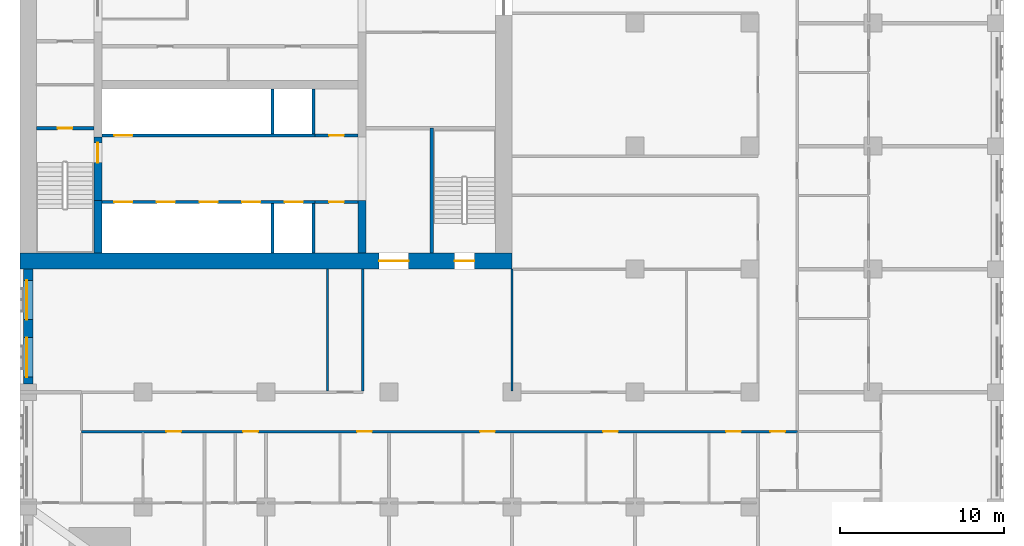
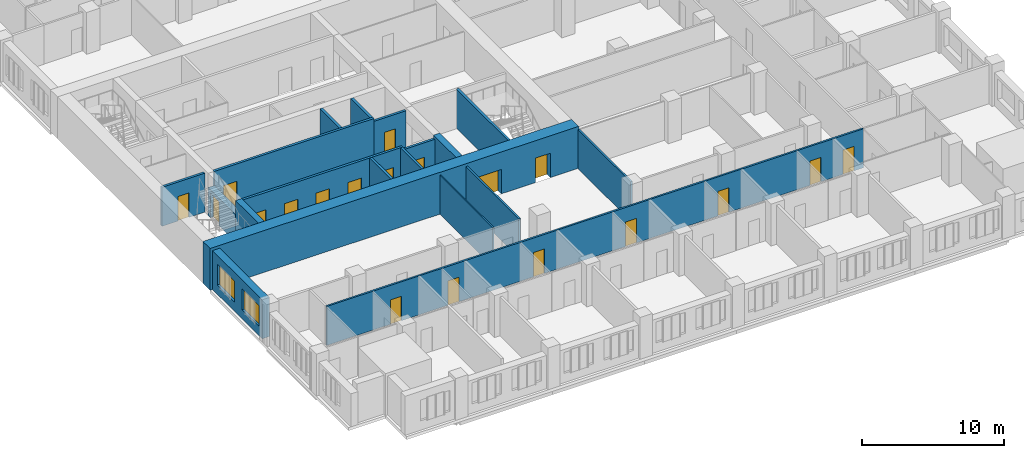
# One storey, part 5 of 14: 19 doors, 19 walls, 2 windows, 21 openings.
"""IFC4 building model written with IfcOpenShell, lengths in metres."""

from ifc_helpers import new_model, si_unit, direction, frame, frame_2d, origin, place, context, subcontext, project, spatial, rectangle, extrude, material, layer, layer_set, type_object, element, fill, save


model = new_model("IFC4")

# Units and contexts
model_context = context("Model", 3, precision=1e-05, world=origin(), true_north=direction((0.0, 1.0)))
body_context = subcontext(model_context, "Body", "Model", "MODEL_VIEW")
ifc_project = project(units=[si_unit("LENGTHUNIT", "METRE"), si_unit("AREAUNIT", "SQUARE_METRE"), si_unit("VOLUMEUNIT", "CUBIC_METRE"), si_unit("PLANEANGLEUNIT", "RADIAN"), si_unit("MASSUNIT", "GRAM", prefix="KILO")], contexts=[model_context])

# Site, building, storey
site_placement = place(None, origin())
site = spatial("IfcSite", under=ifc_project, at=site_placement, CompositionType="ELEMENT")
building_placement = place(site_placement, origin())
building = spatial("IfcBuilding", under=site, at=building_placement, Name="Tamorin Gate", CompositionType="ELEMENT")
storey_placement = place(building_placement, frame((0.0, 0.0, 100.699951171875)))
storey = spatial("IfcBuildingStorey", under=building, at=storey_placement, Name="L24", CompositionType="ELEMENT", Elevation=100.699951171875)

# Wall, openings, windows
ifc_material_1 = material(Name="Precast concrete C40/50", Category="concrete")
ifc_layer_1 = layer(ifc_material_1, 0.60009765625)
ifc_layer_set_1 = layer_set([ifc_layer_1], Name="Precast concrete C40/50")
wall_type_1 = type_object("IfcWallType", Name="Board-marked concrete facade panel 600", PredefinedType="SOLIDWALL", material=ifc_layer_set_1)
wall_1_placement = place(storey_placement, frame((30.5, 60.0, 0.0), z_axis=(0.0, 0.0, 1.0), x_axis=(0.0, -1.0, 0.0)))
wall_1 = element("IfcWall", 1, at=wall_1_placement, inside=storey, type_object=wall_type_1, Name="Facade panel", PredefinedType="SOLIDWALL", context=body_context, shape_type="SweptSolid", body=[
    extrude(rectangle(XDim=7.0, YDim=0.60009765625, at=frame_2d((3.5, 0.0))), origin(), (0.0, 0.0, 1.0), 3.35009765625),
])
opening_1_placement = place(wall_1_placement, frame((4.175048828125, 0.0, 0.800048828125)))
opening_1 = element("IfcOpeningElement", 2, at=opening_1_placement, cuts=wall_1, Name="Opening WN1", PredefinedType="OPENING", context=body_context, shape_type="SweptSolid", body=[
    extrude(rectangle(XDim=2.39990234375, YDim=1.800048828125, at=frame_2d((1.199951171875, 0.89990234375))), frame((0.0, 0.31005859375, 0.0), z_axis=(0.0, -1.0, 0.0), x_axis=(1.0, 0.0, 0.0)), (0.0, 0.0, 1.0), 0.6201171875),
])
opening_2_placement = place(wall_1_placement, frame((0.675048828125, 0.0, 0.800048828125)))
opening_2 = element("IfcOpeningElement", 3, at=opening_2_placement, cuts=wall_1, Name="Opening WN1", PredefinedType="OPENING", context=body_context, shape_type="SweptSolid", body=[
    extrude(rectangle(XDim=2.39990234375, YDim=1.800048828125, at=frame_2d((1.199951171875, 0.89990234375))), frame((0.0, 0.31005859375, 0.0), z_axis=(0.0, -1.0, 0.0), x_axis=(1.0, 0.0, 0.0)), (0.0, 0.0, 1.0), 0.6201171875),
])
ifc_material_2 = material(Name="Clear glass in aluminium frame", Category="aluminium")
window_type = type_object("IfcWindowType", Name="Deep-set window 2400x1800", PartitioningType="SINGLE_PANEL", PredefinedType="WINDOW", material=ifc_material_2)
window_1_placement = place(opening_1_placement, origin())
window_1 = element("IfcWindow", 4, at=window_1_placement, inside=storey, type_object=window_type, Name="Deep-set window", OverallHeight=1.800048828125, OverallWidth=2.39990234375, PartitioningType="SINGLE_PANEL", PredefinedType="WINDOW", context=body_context, shape_type="SweptSolid", body=[
    extrude(rectangle(XDim=2.39990234375, YDim=1.800048828125, at=frame_2d((1.199951171875, 0.89990234375))), frame((0.0, -0.070068359375, 0.0), z_axis=(0.0, -1.0, 0.0), x_axis=(1.0, 0.0, 0.0)), (0.0, 0.0, 1.0), 0.06005859375),
])
fill(opening_1, window_1)
window_2_placement = place(opening_2_placement, origin())
window_2 = element("IfcWindow", 5, at=window_2_placement, inside=storey, type_object=window_type, Name="Deep-set window", OverallHeight=1.800048828125, OverallWidth=2.39990234375, PartitioningType="SINGLE_PANEL", PredefinedType="WINDOW", context=body_context, shape_type="SweptSolid", body=[
    extrude(rectangle(XDim=2.39990234375, YDim=1.800048828125, at=frame_2d((1.199951171875, 0.89990234375))), frame((0.0, -0.070068359375, 0.0), z_axis=(0.0, -1.0, 0.0), x_axis=(1.0, 0.0, 0.0)), (0.0, 0.0, 1.0), 0.06005859375),
])
fill(opening_2, window_2)

# Wall, openings, doors
ifc_material_3 = material(Name="Gypsum board partition")
ifc_layer_2 = layer(ifc_material_3, 0.14990234375)
ifc_layer_set_2 = layer_set([ifc_layer_2], Name="Corridor wall 150")
wall_type_2 = type_object("IfcWallType", Name="Corridor wall 150", PredefinedType="PARTITIONING", material=ifc_layer_set_2)
wall_2_placement = place(storey_placement, frame((33.75, 50.10009765625, 0.0), z_axis=(0.0, 0.0, 1.0), x_axis=(1.0, 0.0, 0.0)))
wall_2 = element("IfcWall", 6, at=wall_2_placement, inside=storey, type_object=wall_type_2, Name="Corridor wall 150", PredefinedType="PARTITIONING", context=body_context, shape_type="SweptSolid", body=[
    extrude(rectangle(XDim=43.64990234375, YDim=0.14990234375, at=frame_2d((21.824951171875, 0.0))), origin(), (0.0, 0.0, 1.0), 3.35009765625),
])
opening_3_placement = place(wall_2_placement, frame((5.175048828125, 0.0, 0.0)))
opening_3 = element("IfcOpeningElement", 7, at=opening_3_placement, cuts=wall_2, Name="Opening DH7003", PredefinedType="OPENING", context=body_context, shape_type="SweptSolid", body=[
    extrude(rectangle(XDim=0.89990234375, YDim=2.10009765625, at=frame_2d((0.449951171875, 1.050048828125))), frame((0.0, 0.0849609375, 0.0), z_axis=(0.0, -1.0, 0.0), x_axis=(1.0, 0.0, 0.0)), (0.0, 0.0, 1.0), 0.169921875),
])
opening_4_placement = place(wall_2_placement, frame((9.862548828125, 0.0, 0.0)))
opening_4 = element("IfcOpeningElement", 8, at=opening_4_placement, cuts=wall_2, Name="Opening DH7006", PredefinedType="OPENING", context=body_context, shape_type="SweptSolid", body=[
    extrude(rectangle(XDim=0.89990234375, YDim=2.10009765625, at=frame_2d((0.449951171875, 1.050048828125))), frame((0.0, 0.0849609375, 0.0), z_axis=(0.0, -1.0, 0.0), x_axis=(1.0, 0.0, 0.0)), (0.0, 0.0, 1.0), 0.169921875),
])
opening_5_placement = place(wall_2_placement, frame((16.800048828125, 0.0, 0.0)))
opening_5 = element("IfcOpeningElement", 9, at=opening_5_placement, cuts=wall_2, Name="Opening DH7009", PredefinedType="OPENING", context=body_context, shape_type="SweptSolid", body=[
    extrude(rectangle(XDim=0.89990234375, YDim=2.10009765625, at=frame_2d((0.449951171875, 1.050048828125))), frame((0.0, 0.0849609375, 0.0), z_axis=(0.0, -1.0, 0.0), x_axis=(1.0, 0.0, 0.0)), (0.0, 0.0, 1.0), 0.169921875),
])
opening_6_placement = place(wall_2_placement, frame((24.300048828125, 0.0, 0.0)))
opening_6 = element("IfcOpeningElement", 10, at=opening_6_placement, cuts=wall_2, Name="Opening DH7012", PredefinedType="OPENING", context=body_context, shape_type="SweptSolid", body=[
    extrude(rectangle(XDim=0.89990234375, YDim=2.10009765625, at=frame_2d((0.449951171875, 1.050048828125))), frame((0.0, 0.0849609375, 0.0), z_axis=(0.0, -1.0, 0.0), x_axis=(1.0, 0.0, 0.0)), (0.0, 0.0, 1.0), 0.169921875),
])
opening_7_placement = place(wall_2_placement, frame((31.800048828125, 0.0, 0.0)))
opening_7 = element("IfcOpeningElement", 11, at=opening_7_placement, cuts=wall_2, Name="Opening DH7015", PredefinedType="OPENING", context=body_context, shape_type="SweptSolid", body=[
    extrude(rectangle(XDim=0.89990234375, YDim=2.10009765625, at=frame_2d((0.449951171875, 1.050048828125))), frame((0.0, 0.0849609375, 0.0), z_axis=(0.0, -1.0, 0.0), x_axis=(1.0, 0.0, 0.0)), (0.0, 0.0, 1.0), 0.169921875),
])
opening_8_placement = place(wall_2_placement, frame((39.300048828125, 0.0, 0.0)))
opening_8 = element("IfcOpeningElement", 12, at=opening_8_placement, cuts=wall_2, Name="Opening DH7018", PredefinedType="OPENING", context=body_context, shape_type="SweptSolid", body=[
    extrude(rectangle(XDim=0.89990234375, YDim=2.10009765625, at=frame_2d((0.449951171875, 1.050048828125))), frame((0.0, 0.0849609375, 0.0), z_axis=(0.0, -1.0, 0.0), x_axis=(1.0, 0.0, 0.0)), (0.0, 0.0, 1.0), 0.169921875),
])
opening_9_placement = place(wall_2_placement, frame((42.0, 0.0, 0.0)))
opening_9 = element("IfcOpeningElement", 13, at=opening_9_placement, cuts=wall_2, Name="Opening DH7054", PredefinedType="OPENING", context=body_context, shape_type="SweptSolid", body=[
    extrude(rectangle(XDim=0.89990234375, YDim=2.10009765625, at=frame_2d((0.449951171875, 1.050048828125))), frame((0.0, 0.0849609375, 0.0), z_axis=(0.0, -1.0, 0.0), x_axis=(1.0, 0.0, 0.0)), (0.0, 0.0, 1.0), 0.169921875),
])
ifc_material_4 = material(Name="Timber door leaf", Category="wood")
door_type_1 = type_object("IfcDoorType", Name="Door 900 x 2100 FD30S", OperationType="NOTDEFINED", PredefinedType="DOOR", material=ifc_material_4)
door_1_placement = place(opening_3_placement, origin())
door_1 = element("IfcDoor", 14, at=door_1_placement, inside=storey, type_object=door_type_1, Name="Door DH7003", OperationType="SINGLE_SWING_RIGHT", OverallHeight=2.10009765625, OverallWidth=0.89990234375, PredefinedType="DOOR", context=body_context, shape_type="SweptSolid", body=[
    extrude(rectangle(XDim=0.89990234375, YDim=2.10009765625, at=frame_2d((0.449951171875, 1.050048828125))), frame((0.0, 0.02490234375, 0.0), z_axis=(0.0, -1.0, 0.0), x_axis=(1.0, 0.0, 0.0)), (0.0, 0.0, 1.0), 0.050048828125),
])
fill(opening_3, door_1)
door_2_placement = place(opening_4_placement, origin())
door_2 = element("IfcDoor", 15, at=door_2_placement, inside=storey, type_object=door_type_1, Name="Door DH7006", OperationType="SINGLE_SWING_RIGHT", OverallHeight=2.10009765625, OverallWidth=0.89990234375, PredefinedType="DOOR", context=body_context, shape_type="SweptSolid", body=[
    extrude(rectangle(XDim=0.89990234375, YDim=2.10009765625, at=frame_2d((0.449951171875, 1.050048828125))), frame((0.0, 0.02490234375, 0.0), z_axis=(0.0, -1.0, 0.0), x_axis=(1.0, 0.0, 0.0)), (0.0, 0.0, 1.0), 0.050048828125),
])
fill(opening_4, door_2)
door_3_placement = place(opening_5_placement, origin())
door_3 = element("IfcDoor", 16, at=door_3_placement, inside=storey, type_object=door_type_1, Name="Door DH7009", OperationType="SINGLE_SWING_RIGHT", OverallHeight=2.10009765625, OverallWidth=0.89990234375, PredefinedType="DOOR", context=body_context, shape_type="SweptSolid", body=[
    extrude(rectangle(XDim=0.89990234375, YDim=2.10009765625, at=frame_2d((0.449951171875, 1.050048828125))), frame((0.0, 0.02490234375, 0.0), z_axis=(0.0, -1.0, 0.0), x_axis=(1.0, 0.0, 0.0)), (0.0, 0.0, 1.0), 0.050048828125),
])
fill(opening_5, door_3)
door_4_placement = place(opening_6_placement, origin())
door_4 = element("IfcDoor", 17, at=door_4_placement, inside=storey, type_object=door_type_1, Name="Door DH7012", OperationType="SINGLE_SWING_RIGHT", OverallHeight=2.10009765625, OverallWidth=0.89990234375, PredefinedType="DOOR", context=body_context, shape_type="SweptSolid", body=[
    extrude(rectangle(XDim=0.89990234375, YDim=2.10009765625, at=frame_2d((0.449951171875, 1.050048828125))), frame((0.0, 0.02490234375, 0.0), z_axis=(0.0, -1.0, 0.0), x_axis=(1.0, 0.0, 0.0)), (0.0, 0.0, 1.0), 0.050048828125),
])
fill(opening_6, door_4)
door_5_placement = place(opening_7_placement, origin())
door_5 = element("IfcDoor", 18, at=door_5_placement, inside=storey, type_object=door_type_1, Name="Door DH7015", OperationType="SINGLE_SWING_RIGHT", OverallHeight=2.10009765625, OverallWidth=0.89990234375, PredefinedType="DOOR", context=body_context, shape_type="SweptSolid", body=[
    extrude(rectangle(XDim=0.89990234375, YDim=2.10009765625, at=frame_2d((0.449951171875, 1.050048828125))), frame((0.0, 0.02490234375, 0.0), z_axis=(0.0, -1.0, 0.0), x_axis=(1.0, 0.0, 0.0)), (0.0, 0.0, 1.0), 0.050048828125),
])
fill(opening_7, door_5)
door_6_placement = place(opening_8_placement, origin())
door_6 = element("IfcDoor", 19, at=door_6_placement, inside=storey, type_object=door_type_1, Name="Door DH7018", OperationType="SINGLE_SWING_RIGHT", OverallHeight=2.10009765625, OverallWidth=0.89990234375, PredefinedType="DOOR", context=body_context, shape_type="SweptSolid", body=[
    extrude(rectangle(XDim=0.89990234375, YDim=2.10009765625, at=frame_2d((0.449951171875, 1.050048828125))), frame((0.0, 0.02490234375, 0.0), z_axis=(0.0, -1.0, 0.0), x_axis=(1.0, 0.0, 0.0)), (0.0, 0.0, 1.0), 0.050048828125),
])
fill(opening_8, door_6)
door_7_placement = place(opening_9_placement, origin())
door_7 = element("IfcDoor", 20, at=door_7_placement, inside=storey, type_object=door_type_1, Name="Door DH7054", OperationType="SINGLE_SWING_LEFT", OverallHeight=2.10009765625, OverallWidth=0.89990234375, PredefinedType="DOOR", context=body_context, shape_type="SweptSolid", body=[
    extrude(rectangle(XDim=0.89990234375, YDim=2.10009765625, at=frame_2d((0.449951171875, 1.050048828125))), frame((0.0, 0.02490234375, 0.0), z_axis=(0.0, -1.0, 0.0), x_axis=(1.0, 0.0, 0.0)), (0.0, 0.0, 1.0), 0.050048828125),
])
fill(opening_9, door_7)

ifc_material_5 = material(Name="Concrete C32/40", Category="concrete")
ifc_layer_3 = layer(ifc_material_5, 0.199951171875)
ifc_layer_set_3 = layer_set([ifc_layer_3], Name="Lift lobby face wall 200 EI 120")
wall_type_3 = type_object("IfcWallType", Name="Lift lobby face wall 200 EI 120", PredefinedType="SOLIDWALL", material=ifc_layer_set_3)
wall_3_placement = place(storey_placement, frame((35.0, 64.10009765625, 0.0), z_axis=(0.0, 0.0, 1.0), x_axis=(1.0, 0.0, 0.0)))
wall_3 = element("IfcWall", 21, at=wall_3_placement, inside=storey, type_object=wall_type_3, Name="Lift lobby face wall", PredefinedType="SOLIDWALL", context=body_context, shape_type="SweptSolid", body=[
    extrude(rectangle(XDim=13.0, YDim=0.199951171875, at=frame_2d((6.5, 0.0))), origin(), (0.0, 0.0, 1.0), 3.60009765625),
])
opening_10_placement = place(wall_3_placement, frame((0.75, 0.0, 0.0)))
opening_10 = element("IfcOpeningElement", 22, at=opening_10_placement, cuts=wall_3, Name="Opening LD1", PredefinedType="OPENING", context=body_context, shape_type="SweptSolid", body=[
    extrude(rectangle(XDim=1.10009765625, YDim=2.10009765625, at=frame_2d((0.550048828125, 1.050048828125))), frame((0.0, 0.10986328125, 0.0), z_axis=(0.0, -1.0, 0.0), x_axis=(1.0, 0.0, 0.0)), (0.0, 0.0, 1.0), 0.219970703125),
])
opening_11_placement = place(wall_3_placement, frame((3.35009765625, 0.0, 0.0)))
opening_11 = element("IfcOpeningElement", 23, at=opening_11_placement, cuts=wall_3, Name="Opening LD2", PredefinedType="OPENING", context=body_context, shape_type="SweptSolid", body=[
    extrude(rectangle(XDim=1.10009765625, YDim=2.10009765625, at=frame_2d((0.550048828125, 1.050048828125))), frame((0.0, 0.10986328125, 0.0), z_axis=(0.0, -1.0, 0.0), x_axis=(1.0, 0.0, 0.0)), (0.0, 0.0, 1.0), 0.219970703125),
])
opening_12_placement = place(wall_3_placement, frame((5.949951171875, 0.0, 0.0)))
opening_12 = element("IfcOpeningElement", 24, at=opening_12_placement, cuts=wall_3, Name="Opening LD3", PredefinedType="OPENING", context=body_context, shape_type="SweptSolid", body=[
    extrude(rectangle(XDim=1.10009765625, YDim=2.10009765625, at=frame_2d((0.550048828125, 1.050048828125))), frame((0.0, 0.10986328125, 0.0), z_axis=(0.0, -1.0, 0.0), x_axis=(1.0, 0.0, 0.0)), (0.0, 0.0, 1.0), 0.219970703125),
])
opening_13_placement = place(wall_3_placement, frame((8.550048828125, 0.0, 0.0)))
opening_13 = element("IfcOpeningElement", 25, at=opening_13_placement, cuts=wall_3, Name="Opening LD4", PredefinedType="OPENING", context=body_context, shape_type="SweptSolid", body=[
    extrude(rectangle(XDim=1.10009765625, YDim=2.10009765625, at=frame_2d((0.550048828125, 1.050048828125))), frame((0.0, 0.10986328125, 0.0), z_axis=(0.0, -1.0, 0.0), x_axis=(1.0, 0.0, 0.0)), (0.0, 0.0, 1.0), 0.219970703125),
])
opening_14_placement = place(wall_3_placement, frame((11.14990234375, 0.0, 0.0)))
opening_14 = element("IfcOpeningElement", 26, at=opening_14_placement, cuts=wall_3, Name="Opening LD5", PredefinedType="OPENING", context=body_context, shape_type="SweptSolid", body=[
    extrude(rectangle(XDim=1.10009765625, YDim=2.10009765625, at=frame_2d((0.550048828125, 1.050048828125))), frame((0.0, 0.10986328125, 0.0), z_axis=(0.0, -1.0, 0.0), x_axis=(1.0, 0.0, 0.0)), (0.0, 0.0, 1.0), 0.219970703125),
])
ifc_material_6 = material(Name="Stainless steel sliding door", Category="steel")
door_type_2 = type_object("IfcDoorType", Name="Lift landing door 1100 x 2100 E 90", OperationType="DOUBLE_DOOR_SLIDING", PredefinedType="DOOR", material=ifc_material_6)
door_8_placement = place(opening_10_placement, origin())
door_8 = element("IfcDoor", 27, at=door_8_placement, inside=storey, type_object=door_type_2, Name="LR1 landing door", OperationType="DOUBLE_DOOR_SLIDING", OverallHeight=2.10009765625, OverallWidth=1.10009765625, PredefinedType="DOOR", context=body_context, shape_type="SweptSolid", body=[
    extrude(rectangle(XDim=1.10009765625, YDim=2.10009765625, at=frame_2d((0.550048828125, 1.050048828125))), frame((0.0, 0.02490234375, 0.0), z_axis=(0.0, -1.0, 0.0), x_axis=(1.0, 0.0, 0.0)), (0.0, 0.0, 1.0), 0.050048828125),
])
fill(opening_10, door_8)
door_9_placement = place(opening_11_placement, origin())
door_9 = element("IfcDoor", 28, at=door_9_placement, inside=storey, type_object=door_type_2, Name="LR2 landing door", OperationType="DOUBLE_DOOR_SLIDING", OverallHeight=2.10009765625, OverallWidth=1.10009765625, PredefinedType="DOOR", context=body_context, shape_type="SweptSolid", body=[
    extrude(rectangle(XDim=1.10009765625, YDim=2.10009765625, at=frame_2d((0.550048828125, 1.050048828125))), frame((0.0, 0.02490234375, 0.0), z_axis=(0.0, -1.0, 0.0), x_axis=(1.0, 0.0, 0.0)), (0.0, 0.0, 1.0), 0.050048828125),
])
fill(opening_11, door_9)
door_10_placement = place(opening_12_placement, origin())
door_10 = element("IfcDoor", 29, at=door_10_placement, inside=storey, type_object=door_type_2, Name="LR3 landing door", OperationType="DOUBLE_DOOR_SLIDING", OverallHeight=2.10009765625, OverallWidth=1.10009765625, PredefinedType="DOOR", context=body_context, shape_type="SweptSolid", body=[
    extrude(rectangle(XDim=1.10009765625, YDim=2.10009765625, at=frame_2d((0.550048828125, 1.050048828125))), frame((0.0, 0.02490234375, 0.0), z_axis=(0.0, -1.0, 0.0), x_axis=(1.0, 0.0, 0.0)), (0.0, 0.0, 1.0), 0.050048828125),
])
fill(opening_12, door_10)
door_11_placement = place(opening_13_placement, origin())
door_11 = element("IfcDoor", 30, at=door_11_placement, inside=storey, type_object=door_type_2, Name="LR4 landing door", OperationType="DOUBLE_DOOR_SLIDING", OverallHeight=2.10009765625, OverallWidth=1.10009765625, PredefinedType="DOOR", context=body_context, shape_type="SweptSolid", body=[
    extrude(rectangle(XDim=1.10009765625, YDim=2.10009765625, at=frame_2d((0.550048828125, 1.050048828125))), frame((0.0, 0.02490234375, 0.0), z_axis=(0.0, -1.0, 0.0), x_axis=(1.0, 0.0, 0.0)), (0.0, 0.0, 1.0), 0.050048828125),
])
fill(opening_13, door_11)
door_12_placement = place(opening_14_placement, origin())
door_12 = element("IfcDoor", 31, at=door_12_placement, inside=storey, type_object=door_type_2, Name="LR5 landing door", OperationType="DOUBLE_DOOR_SLIDING", OverallHeight=2.10009765625, OverallWidth=1.10009765625, PredefinedType="DOOR", context=body_context, shape_type="SweptSolid", body=[
    extrude(rectangle(XDim=1.10009765625, YDim=2.10009765625, at=frame_2d((0.550048828125, 1.050048828125))), frame((0.0, 0.02490234375, 0.0), z_axis=(0.0, -1.0, 0.0), x_axis=(1.0, 0.0, 0.0)), (0.0, 0.0, 1.0), 0.050048828125),
])
fill(opening_14, door_12)

# Wall, opening, door
wall_4_placement = place(storey_placement, frame((35.0, 68.14990234375, 0.0), z_axis=(0.0, 0.0, 1.0), x_axis=(1.0, 0.0, 0.0)))
wall_4 = element("IfcWall", 32, at=wall_4_placement, inside=storey, type_object=wall_type_3, Name="Lift lobby face wall", PredefinedType="SOLIDWALL", context=body_context, shape_type="SweptSolid", body=[
    extrude(rectangle(XDim=13.0, YDim=0.199951171875, at=frame_2d((6.5, 0.0))), origin(), (0.0, 0.0, 1.0), 3.60009765625),
])
opening_15_placement = place(wall_4_placement, frame((0.75, 0.0, 0.0)))
opening_15 = element("IfcOpeningElement", 33, at=opening_15_placement, cuts=wall_4, Name="Opening LD6", PredefinedType="OPENING", context=body_context, shape_type="SweptSolid", body=[
    extrude(rectangle(XDim=1.10009765625, YDim=2.10009765625, at=frame_2d((0.550048828125, 1.050048828125))), frame((0.0, 0.10986328125, 0.0), z_axis=(0.0, -1.0, 0.0), x_axis=(1.0, 0.0, 0.0)), (0.0, 0.0, 1.0), 0.219970703125),
])
door_13_placement = place(opening_15_placement, origin())
door_13 = element("IfcDoor", 34, at=door_13_placement, inside=storey, type_object=door_type_2, Name="LR6 landing door", OperationType="DOUBLE_DOOR_SLIDING", OverallHeight=2.10009765625, OverallWidth=1.10009765625, PredefinedType="DOOR", context=body_context, shape_type="SweptSolid", body=[
    extrude(rectangle(XDim=1.10009765625, YDim=2.10009765625, at=frame_2d((0.550048828125, 1.050048828125))), frame((0.0, 0.02490234375, 0.0), z_axis=(0.0, -1.0, 0.0), x_axis=(1.0, 0.0, 0.0)), (0.0, 0.0, 1.0), 0.050048828125),
])
fill(opening_15, door_13)

# Walls
ifc_layer_4 = layer(ifc_material_5, 0.199951171875)
ifc_layer_set_4 = layer_set([ifc_layer_4], Name="Lift shaft wall 200 EI 120")
wall_type_4 = type_object("IfcWallType", Name="Lift shaft wall 200 EI 120", PredefinedType="SOLIDWALL", material=ifc_layer_set_4)
for number, where, z_axis, x_axis, name in (
    (35, (45.39990234375, 61.0, 0.0), (0.0, 0.0, 1.0), (0.0, 1.0, 0.0), "Lift shaft wall"),
    (36, (47.89990234375, 61.0, 0.0), (0.0, 0.0, 1.0), (0.0, 1.0, 0.0), "Lift shaft wall"),
):
    element("IfcWall", number, at=place(storey_placement, frame(where, z_axis=z_axis, x_axis=x_axis)), inside=storey, type_object=wall_type_4, Name=name, PredefinedType="SOLIDWALL", context=body_context, shape_type="SweptSolid", body=[
        extrude(rectangle(XDim=3.0, YDim=0.199951171875, at=frame_2d((1.5, 0.0))), origin(), (0.0, 0.0, 1.0), 3.60009765625),
    ])
for number, where, z_axis, x_axis, name in (
    (37, (45.39990234375, 68.25, 0.0), (0.0, 0.0, 1.0), (0.0, 1.0, 0.0), "Lift shaft wall"),
    (38, (47.89990234375, 68.25, 0.0), (0.0, 0.0, 1.0), (0.0, 1.0, 0.0), "Lift shaft wall"),
):
    element("IfcWall", number, at=place(storey_placement, frame(where, z_axis=z_axis, x_axis=x_axis)), inside=storey, type_object=wall_type_4, Name=name, PredefinedType="SOLIDWALL", context=body_context, shape_type="SweptSolid", body=[
        extrude(rectangle(XDim=2.75, YDim=0.199951171875, at=frame_2d((1.375, 0.0))), origin(), (0.0, 0.0, 1.0), 3.60009765625),
    ])
ifc_layer_5 = layer(ifc_material_3, 0.14990234375)
ifc_layer_set_5 = layer_set([ifc_layer_5], Name="Lobby wall 150")
wall_type_5 = type_object("IfcWallType", Name="Lobby wall 150", PredefinedType="PARTITIONING", material=ifc_layer_set_5)
for number, where, z_axis, x_axis, name in (
    (39, (50.89990234375, 52.574951171875, 0.0), (0.0, 0.0, 1.0), (0.0, 1.0, 0.0), "Lobby wall 150"),
    (40, (60.0, 52.574951171875, 0.0), (0.0, 0.0, 1.0), (0.0, 1.0, 0.0), "Lobby wall 150"),
):
    element("IfcWall", number, at=place(storey_placement, frame(where, z_axis=z_axis, x_axis=x_axis)), inside=storey, type_object=wall_type_5, Name=name, PredefinedType="PARTITIONING", context=body_context, shape_type="SweptSolid", body=[
        extrude(rectangle(XDim=7.425048828125, YDim=0.14990234375, at=frame_2d((3.71240234375, 0.0))), origin(), (0.0, 0.0, 1.0), 3.35009765625),
    ])
ifc_material_7 = material(Name="Concrete C80/95", Category="concrete")
ifc_layer_6 = layer(ifc_material_7, 0.5)
ifc_layer_set_6 = layer_set([ifc_layer_6], Name="RC core internal wall 500 C80/95")
wall_type_6 = type_object("IfcWallType", Name="RC core internal wall 500 C80/95", PredefinedType="SHEAR", material=ifc_layer_set_6)
for number, where, z_axis, x_axis, name in (
    (41, (34.75, 61.0, 0.0), (0.0, 0.0, 1.0), (0.0, 1.0, 0.0), "Core cross wall L24"),
    (42, (50.85009765625, 61.0, 0.0), (0.0, 0.0, 1.0), (0.0, 1.0, 0.0), "Core cross wall L24"),
):
    element("IfcWall", number, at=place(storey_placement, frame(where, z_axis=z_axis, x_axis=x_axis)), inside=storey, type_object=wall_type_6, Name=name, PredefinedType="SHEAR", context=body_context, shape_type="SweptSolid", body=[
        extrude(rectangle(XDim=3.199951171875, YDim=0.5, at=frame_2d((1.60009765625, 0.0))), origin(), (0.0, 0.0, 1.0), 3.60009765625),
    ])

# Wall, openings, doors
ifc_layer_7 = layer(ifc_material_7, 1.0)
ifc_layer_set_7 = layer_set([ifc_layer_7], Name="RC core wall 1000 C80/95")
wall_type_7 = type_object("IfcWallType", Name="RC core wall 1000 C80/95", PredefinedType="SHEAR", material=ifc_layer_set_7)
wall_5_placement = place(storey_placement, frame((30.0, 60.5, 0.0), z_axis=(0.0, 0.0, 1.0), x_axis=(1.0, 0.0, 0.0)))
wall_5 = element("IfcWall", 43, at=wall_5_placement, inside=storey, type_object=wall_type_7, Name="Core wall L24", PredefinedType="SHEAR", context=body_context, shape_type="SweptSolid", body=[
    extrude(rectangle(XDim=30.0, YDim=1.0, at=frame_2d((15.0, 0.0))), origin(), (0.0, 0.0, 1.0), 3.60009765625),
])
opening_16_placement = place(wall_5_placement, frame((21.89990234375, 0.0, 0.0)))
opening_16 = element("IfcOpeningElement", 44, at=opening_16_placement, cuts=wall_5, Name="Opening DE1", PredefinedType="OPENING", context=body_context, shape_type="SweptSolid", body=[
    extrude(rectangle(XDim=1.800048828125, YDim=2.10009765625, at=frame_2d((0.89990234375, 1.050048828125))), frame((0.0, 0.510009765625, 0.0), z_axis=(0.0, -1.0, 0.0), x_axis=(1.0, 0.0, 0.0)), (0.0, 0.0, 1.0), 1.02001953125),
])
opening_17_placement = place(wall_5_placement, frame((26.5, 0.0, 0.0)))
opening_17 = element("IfcOpeningElement", 45, at=opening_17_placement, cuts=wall_5, Name="Opening DS1", PredefinedType="OPENING", context=body_context, shape_type="SweptSolid", body=[
    extrude(rectangle(XDim=1.199951171875, YDim=2.10009765625, at=frame_2d((0.60009765625, 1.050048828125))), frame((0.0, 0.510009765625, 0.0), z_axis=(0.0, -1.0, 0.0), x_axis=(1.0, 0.0, 0.0)), (0.0, 0.0, 1.0), 1.02001953125),
])
ifc_material_8 = material(Name="Steel fire door", Category="steel")
door_type_3 = type_object("IfcDoorType", Name="Lobby exit double door 1800 x 2100 EI 60", OperationType="DOUBLE_DOOR_SINGLE_SWING", PredefinedType="DOOR", material=ifc_material_8)
door_14_placement = place(opening_16_placement, origin())
door_14 = element("IfcDoor", 46, at=door_14_placement, inside=storey, type_object=door_type_3, Name="Lift lobby A exit door", OperationType="DOUBLE_DOOR_SINGLE_SWING", OverallHeight=2.10009765625, OverallWidth=1.800048828125, PredefinedType="DOOR", context=body_context, shape_type="SweptSolid", body=[
    extrude(rectangle(XDim=1.800048828125, YDim=2.10009765625, at=frame_2d((0.89990234375, 1.050048828125))), frame((0.0, 0.02490234375, 0.0), z_axis=(0.0, -1.0, 0.0), x_axis=(1.0, 0.0, 0.0)), (0.0, 0.0, 1.0), 0.050048828125),
])
fill(opening_16, door_14)
door_type_4 = type_object("IfcDoorType", Name="Stair door 1200 x 2100 EI 90", OperationType="SINGLE_SWING_LEFT", PredefinedType="DOOR", material=ifc_material_8)
door_15_placement = place(opening_17_placement, origin())
door_15 = element("IfcDoor", 47, at=door_15_placement, inside=storey, type_object=door_type_4, Name="ST3 door", OperationType="SINGLE_SWING_LEFT", OverallHeight=2.10009765625, OverallWidth=1.199951171875, PredefinedType="DOOR", context=body_context, shape_type="SweptSolid", body=[
    extrude(rectangle(XDim=1.199951171875, YDim=2.10009765625, at=frame_2d((0.60009765625, 1.050048828125))), frame((0.0, 0.02490234375, 0.0), z_axis=(0.0, -1.0, 0.0), x_axis=(1.0, 0.0, 0.0)), (0.0, 0.0, 1.0), 0.050048828125),
])
fill(opening_17, door_15)

# Wall
ifc_layer_8 = layer(ifc_material_3, 0.10009765625)
ifc_layer_set_8 = layer_set([ifc_layer_8], Name="Room partition 100")
wall_type_8 = type_object("IfcWallType", Name="Room partition 100", PredefinedType="PARTITIONING", material=ifc_layer_set_8)
wall_6_placement = place(storey_placement, frame((48.75, 52.574951171875, 0.0), z_axis=(0.0, 0.0, 1.0), x_axis=(0.0, 1.0, 0.0)))
element("IfcWall", 48, at=wall_6_placement, inside=storey, type_object=wall_type_8, Name="Room partition 100", PredefinedType="PARTITIONING", context=body_context, shape_type="SweptSolid", body=[
    extrude(rectangle(XDim=7.425048828125, YDim=0.10009765625, at=frame_2d((3.71240234375, 0.0))), origin(), (0.0, 0.0, 1.0), 3.35009765625),
])

# Wall, opening, door
ifc_layer_9 = layer(ifc_material_3, 0.199951171875)
ifc_layer_set_9 = layer_set([ifc_layer_9], Name="Service room face wall 200 EI 60")
wall_type_9 = type_object("IfcWallType", Name="Service room face wall 200 EI 60", PredefinedType="PARTITIONING", material=ifc_layer_set_9)
wall_7_placement = place(storey_placement, frame((48.0, 64.10009765625, 0.0), z_axis=(0.0, 0.0, 1.0), x_axis=(1.0, 0.0, 0.0)))
wall_7 = element("IfcWall", 49, at=wall_7_placement, inside=storey, type_object=wall_type_9, Name="Service room face wall", PredefinedType="PARTITIONING", context=body_context, shape_type="SweptSolid", body=[
    extrude(rectangle(XDim=2.60009765625, YDim=0.199951171875, at=frame_2d((1.300048828125, 0.0))), origin(), (0.0, 0.0, 1.0), 3.35009765625),
])
opening_18_placement = place(wall_7_placement, frame((0.85009765625, 0.0, 0.0)))
opening_18 = element("IfcOpeningElement", 50, at=opening_18_placement, cuts=wall_7, Name="Opening DK1", PredefinedType="OPENING", context=body_context, shape_type="SweptSolid", body=[
    extrude(rectangle(XDim=0.89990234375, YDim=2.10009765625, at=frame_2d((0.449951171875, 1.050048828125))), frame((0.0, 0.10986328125, 0.0), z_axis=(0.0, -1.0, 0.0), x_axis=(1.0, 0.0, 0.0)), (0.0, 0.0, 1.0), 0.219970703125),
])
ifc_material_9 = material(Name="Timber fire door", Category="wood")
door_type_5 = type_object("IfcDoorType", Name="Service room door 900 x 2100 EI 60", OperationType="SINGLE_SWING_LEFT", PredefinedType="DOOR", material=ifc_material_9)
door_16_placement = place(opening_18_placement, origin())
door_16 = element("IfcDoor", 51, at=door_16_placement, inside=storey, type_object=door_type_5, Name="Door Laundry store", OperationType="SINGLE_SWING_RIGHT", OverallHeight=2.10009765625, OverallWidth=0.89990234375, PredefinedType="DOOR", context=body_context, shape_type="SweptSolid", body=[
    extrude(rectangle(XDim=0.89990234375, YDim=2.10009765625, at=frame_2d((0.449951171875, 1.050048828125))), frame((0.0, 0.02490234375, 0.0), z_axis=(0.0, -1.0, 0.0), x_axis=(1.0, 0.0, 0.0)), (0.0, 0.0, 1.0), 0.050048828125),
])
fill(opening_18, door_16)

wall_8_placement = place(storey_placement, frame((48.0, 68.14990234375, 0.0), z_axis=(0.0, 0.0, 1.0), x_axis=(1.0, 0.0, 0.0)))
wall_8 = element("IfcWall", 52, at=wall_8_placement, inside=storey, type_object=wall_type_9, Name="Service room face wall", PredefinedType="PARTITIONING", context=body_context, shape_type="SweptSolid", body=[
    extrude(rectangle(XDim=2.60009765625, YDim=0.199951171875, at=frame_2d((1.300048828125, 0.0))), origin(), (0.0, 0.0, 1.0), 3.35009765625),
])
opening_19_placement = place(wall_8_placement, frame((0.85009765625, 0.0, 0.0)))
opening_19 = element("IfcOpeningElement", 53, at=opening_19_placement, cuts=wall_8, Name="Opening DK1", PredefinedType="OPENING", context=body_context, shape_type="SweptSolid", body=[
    extrude(rectangle(XDim=0.89990234375, YDim=2.10009765625, at=frame_2d((0.449951171875, 1.050048828125))), frame((0.0, 0.10986328125, 0.0), z_axis=(0.0, -1.0, 0.0), x_axis=(1.0, 0.0, 0.0)), (0.0, 0.0, 1.0), 0.219970703125),
])
door_17_placement = place(opening_19_placement, origin())
door_17 = element("IfcDoor", 54, at=door_17_placement, inside=storey, type_object=door_type_5, Name="Door Luggage store", OperationType="SINGLE_SWING_RIGHT", OverallHeight=2.10009765625, OverallWidth=0.89990234375, PredefinedType="DOOR", context=body_context, shape_type="SweptSolid", body=[
    extrude(rectangle(XDim=0.89990234375, YDim=2.10009765625, at=frame_2d((0.449951171875, 1.050048828125))), frame((0.0, 0.02490234375, 0.0), z_axis=(0.0, -1.0, 0.0), x_axis=(1.0, 0.0, 0.0)), (0.0, 0.0, 1.0), 0.050048828125),
])
fill(opening_19, door_17)

ifc_material_10 = material(Name="Concrete C40/50", Category="concrete")
ifc_layer_10 = layer(ifc_material_10, 0.199951171875)
ifc_layer_set_10 = layer_set([ifc_layer_10], Name="Stair enclosure wall 200 EI 120 C40/50")
wall_type_10 = type_object("IfcWallType", Name="Stair enclosure wall 200 EI 120 C40/50", PredefinedType="SOLIDWALL", material=ifc_layer_set_10)
wall_9_placement = place(storey_placement, frame((31.0, 68.60009765625, 0.0), z_axis=(0.0, 0.0, 1.0), x_axis=(1.0, 0.0, 0.0)))
wall_9 = element("IfcWall", 55, at=wall_9_placement, inside=storey, type_object=wall_type_10, Name="Stair enclosure wall", PredefinedType="SOLIDWALL", context=body_context, shape_type="SweptSolid", body=[
    extrude(rectangle(XDim=3.5, YDim=0.199951171875, at=frame_2d((1.75, 0.0))), origin(), (0.0, 0.0, 1.0), 3.35009765625),
])
opening_20_placement = place(wall_9_placement, frame((1.300048828125, 0.0, 0.0)))
opening_20 = element("IfcOpeningElement", 56, at=opening_20_placement, cuts=wall_9, Name="Opening DR1", PredefinedType="OPENING", context=body_context, shape_type="SweptSolid", body=[
    extrude(rectangle(XDim=0.89990234375, YDim=2.10009765625, at=frame_2d((0.449951171875, 1.050048828125))), frame((0.0, 0.10986328125, 0.0), z_axis=(0.0, -1.0, 0.0), x_axis=(1.0, 0.0, 0.0)), (0.0, 0.0, 1.0), 0.219970703125),
])
door_type_6 = type_object("IfcDoorType", Name="Riser access door 900 x 2100 EI 120", OperationType="SINGLE_SWING_LEFT", PredefinedType="DOOR", material=ifc_material_8)
door_18_placement = place(opening_20_placement, origin())
door_18 = element("IfcDoor", 57, at=door_18_placement, inside=storey, type_object=door_type_6, Name="Electrical riser door", OperationType="SINGLE_SWING_LEFT", OverallHeight=2.10009765625, OverallWidth=0.89990234375, PredefinedType="DOOR", context=body_context, shape_type="SweptSolid", body=[
    extrude(rectangle(XDim=0.89990234375, YDim=2.10009765625, at=frame_2d((0.449951171875, 1.050048828125))), frame((0.0, 0.02490234375, 0.0), z_axis=(0.0, -1.0, 0.0), x_axis=(1.0, 0.0, 0.0)), (0.0, 0.0, 1.0), 0.050048828125),
])
fill(opening_20, door_18)

# Wall
wall_10_placement = place(storey_placement, frame((55.10009765625, 61.0, 0.0), z_axis=(0.0, 0.0, 1.0), x_axis=(0.0, 1.0, 0.0)))
element("IfcWall", 58, at=wall_10_placement, inside=storey, type_object=wall_type_10, Name="Stair enclosure wall", PredefinedType="SOLIDWALL", context=body_context, shape_type="SweptSolid", body=[
    extrude(rectangle(XDim=7.60009765625, YDim=0.199951171875, at=frame_2d((3.800048828125, 0.0))), origin(), (0.0, 0.0, 1.0), 3.35009765625),
])

# Wall, opening, door
ifc_layer_11 = layer(ifc_material_5, 0.5)
ifc_layer_set_11 = layer_set([ifc_layer_11], Name="Stair lobby infill wall 500 EI 120")
wall_type_11 = type_object("IfcWallType", Name="Stair lobby infill wall 500 EI 120", PredefinedType="SOLIDWALL", material=ifc_layer_set_11)
wall_11_placement = place(storey_placement, frame((34.75, 64.199951171875, 0.0), z_axis=(0.0, 0.0, 1.0), x_axis=(0.0, 1.0, 0.0)))
wall_11 = element("IfcWall", 59, at=wall_11_placement, inside=storey, type_object=wall_type_11, Name="Stair lobby infill wall", PredefinedType="SOLIDWALL", context=body_context, shape_type="SweptSolid", body=[
    extrude(rectangle(XDim=3.85009765625, YDim=0.5, at=frame_2d((1.925048828125, 0.0))), origin(), (0.0, 0.0, 1.0), 2.400146484375),
])
opening_21_placement = place(wall_11_placement, frame((2.300048828125, 0.0, 0.0)))
opening_21 = element("IfcOpeningElement", 60, at=opening_21_placement, cuts=wall_11, Name="Opening DS1", PredefinedType="OPENING", context=body_context, shape_type="SweptSolid", body=[
    extrude(rectangle(XDim=1.199951171875, YDim=2.10009765625, at=frame_2d((0.60009765625, 1.050048828125))), frame((0.0, 0.260009765625, 0.0), z_axis=(0.0, -1.0, 0.0), x_axis=(1.0, 0.0, 0.0)), (0.0, 0.0, 1.0), 0.52001953125),
])
door_19_placement = place(opening_21_placement, origin())
door_19 = element("IfcDoor", 61, at=door_19_placement, inside=storey, type_object=door_type_4, Name="ST1 door", OperationType="SINGLE_SWING_LEFT", OverallHeight=2.10009765625, OverallWidth=1.199951171875, PredefinedType="DOOR", context=body_context, shape_type="SweptSolid", body=[
    extrude(rectangle(XDim=1.199951171875, YDim=2.10009765625, at=frame_2d((0.60009765625, 1.050048828125))), frame((0.0, 0.02490234375, 0.0), z_axis=(0.0, -1.0, 0.0), x_axis=(1.0, 0.0, 0.0)), (0.0, 0.0, 1.0), 0.050048828125),
])
fill(opening_21, door_19)

save(model, "model.ifc")
